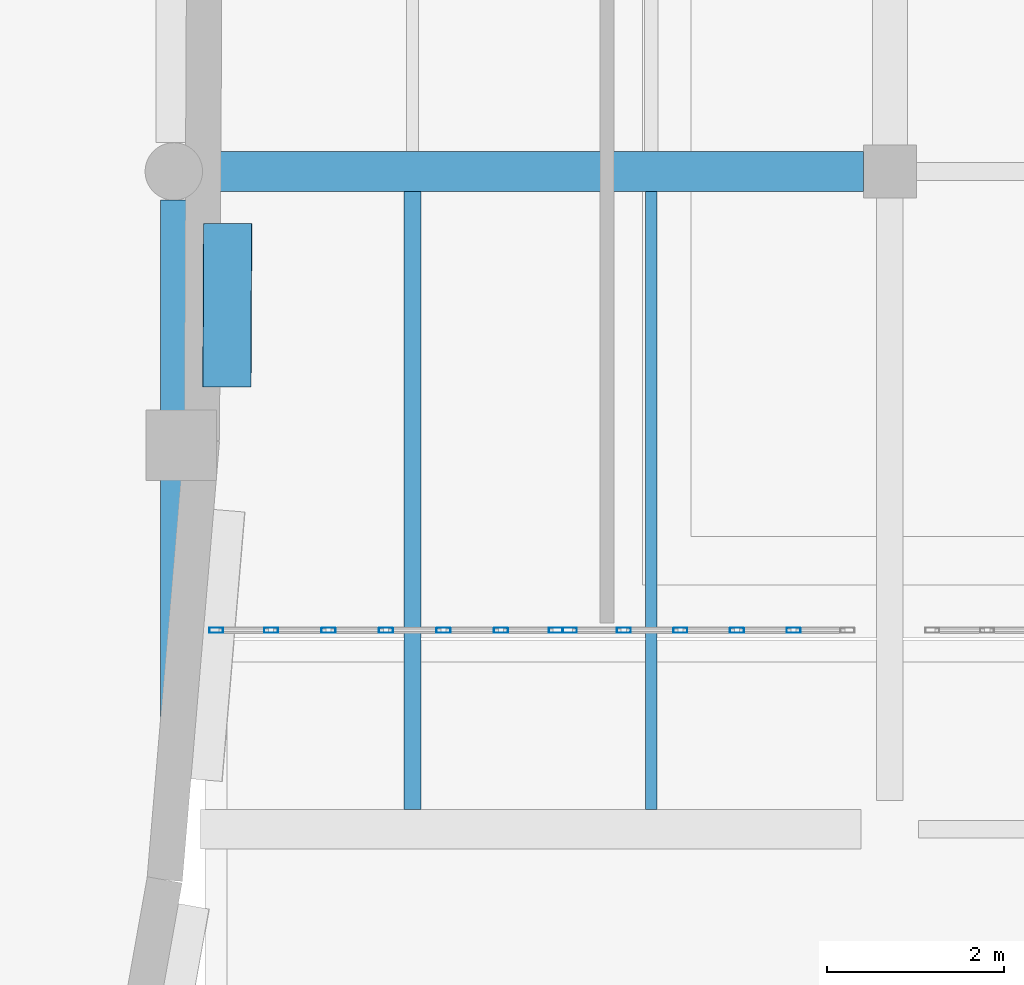
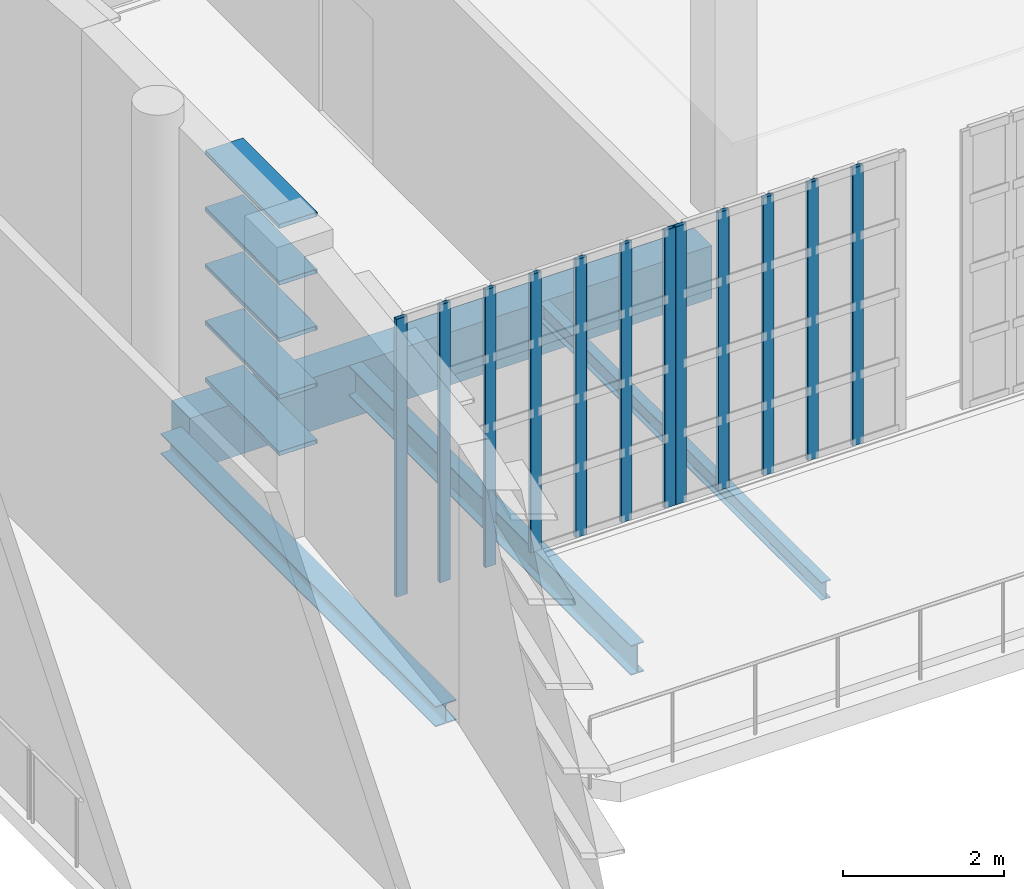
# One storey, part 7 of 73: 17 members, 4 beams, 2 elements without a shape of their own.
"""IFC4 building model written with IfcOpenShell, lengths in metres."""

from ifc_helpers import new_model, si_unit, direction, frame, origin, origin_2d, place, context, subcontext, project, spatial, rectangle, hollow_rectangle, i_section, extrude, material, material_profile, profile_set, type_object, element, aggregate, save


model = new_model("IFC4")

# Units and contexts
model_context = context("Model", 3, precision=1e-05, world=origin(), true_north=direction((0.0, 1.0)))
body_context = subcontext(model_context, "Body", "Model", "MODEL_VIEW")
ifc_project = project(units=[si_unit("LENGTHUNIT", "METRE"), si_unit("AREAUNIT", "SQUARE_METRE"), si_unit("VOLUMEUNIT", "CUBIC_METRE"), si_unit("PLANEANGLEUNIT", "RADIAN"), si_unit("MASSUNIT", "GRAM", prefix="KILO")], contexts=[model_context])

# Site, building, storey
site_placement = place(None, origin())
site = spatial("IfcSite", under=ifc_project, at=site_placement, CompositionType="ELEMENT")
building_placement = place(site_placement, origin())
building = spatial("IfcBuilding", under=site, at=building_placement, Name="Kaelora Sail Theatre", CompositionType="ELEMENT")
storey_placement = place(building_placement, frame((0.0, 0.0, 10.199951171875)))
storey = spatial("IfcBuildingStorey", under=building, at=storey_placement, Name="L02", CompositionType="ELEMENT", Elevation=10.199951171875)

# Members
ifc_material_1 = material(Name="Anodised aluminium 6063-T6", Category="aluminium")
ifc_material_profile_1 = material_profile(ifc_material_1, hollow_rectangle(XDim=0.550048828125, YDim=0.06494140625, WallThickness=0.00390625, InnerFilletRadius=0.00390625, OuterFilletRadius=0.008056640625, at=origin_2d()), Name="LOUVRE 550x65x4")
ifc_profile_set_1 = profile_set([ifc_material_profile_1], Name="Anodised aluminium 6063-T6")
member_type_1 = type_object("IfcMemberType", Name="ARC-MEM-LVR-300", PredefinedType="USERDEFINED", material=ifc_profile_set_1)
for number, where, z_axis, x_axis, name in (
    (1, (58.808837890625, 52.990478515625, 0.510009765625), (-0.00488636533, -0.999988061646, 0.0), (0.999988061646, -0.00488636533, 0.0), "Main Theatre Sail Drum horizontal solar louvre C2-12"),
    (2, (58.808837890625, 52.990478515625, 1.3701171875), (-0.00488636533, -0.999988061646, 0.0), (0.999988061646, -0.00488636533, 0.0), "Main Theatre Sail Drum horizontal solar louvre C2-13"),
    (3, (58.808837890625, 52.990478515625, 2.22998046875), (-0.00488636533, -0.999988061646, 0.0), (0.999988061646, -0.00488636533, 0.0), "Main Theatre Sail Drum horizontal solar louvre C2-14"),
    (4, (58.808837890625, 52.990478515625, 3.090087890625), (-0.00488636533, -0.999988061646, 0.0), (0.999988061646, -0.00488636533, 0.0), "Main Theatre Sail Drum horizontal solar louvre C2-15"),
    (5, (58.808837890625, 52.990478515625, 3.949951171875), (-0.00488636533, -0.999988061646, 0.0), (0.999988061646, -0.00488636533, 0.0), "Main Theatre Sail Drum horizontal solar louvre C2-16"),
):
    element("IfcMember", number, at=place(storey_placement, frame(where, z_axis=z_axis, x_axis=x_axis)), inside=storey, type_object=member_type_1, Name=name, ObjectType="LOUVRE", PredefinedType="USERDEFINED", context=body_context, shape_type="SweptSolid", body=[
        extrude(hollow_rectangle(XDim=0.550048828125, YDim=0.06494140625, WallThickness=0.00390625, InnerFilletRadius=0.00390625, OuterFilletRadius=0.008056640625, at=origin_2d()), origin(), (0.0, 0.0, 1.0), 1.8486328125),
    ])

# Curtain wall, members
ifc_material_2 = material(Name="Anodised aluminium and solar-control low-E IGU", Category="aluminium")
curtain_wall_type = type_object("IfcCurtainWallType", Name="ARC-CW-CW-BRG", PredefinedType="NOTDEFINED", material=ifc_material_2)
curtain_wall_1_placement = place(storey_placement, origin())
curtain_wall_1 = element("IfcCurtainWall", 6, at=curtain_wall_1_placement, inside=storey, type_object=curtain_wall_type, Name="West Interstitial Sail Foyer Curtain Wall L02-01", PredefinedType="NOTDEFINED")
ifc_material_3 = material(Name="Anodised aluminium 6063-T6", Category="aluminium")
ifc_material_profile_2 = material_profile(ifc_material_3, hollow_rectangle(XDim=0.06005859375, YDim=0.159912109375, WallThickness=0.00390625, InnerFilletRadius=0.00390625, OuterFilletRadius=0.008056640625, at=origin_2d()), Name="ALU-MULL 60x160x4")
ifc_profile_set_2 = profile_set([ifc_material_profile_2], Name="Anodised aluminium 6063-T6")
member_type_2 = type_object("IfcMemberType", Name="ARC-MEM-ML-160", PredefinedType="MULLION", material=ifc_profile_set_2)
member_1_placement = place(storey_placement, frame((58.679931640625, 48.389892578125, 0.0), z_axis=(0.0, 0.0, 1.0), x_axis=(0.0, 1.0, 0.0)))
member_1 = element("IfcMember", 7, at=member_1_placement, type_object=member_type_2, Name="CW-BRG mullion 1", PredefinedType="MULLION", context=body_context, shape_type="SweptSolid", body=[
    extrude(hollow_rectangle(XDim=0.06005859375, YDim=0.159912109375, WallThickness=0.00390625, InnerFilletRadius=0.00390625, OuterFilletRadius=0.008056640625, at=origin_2d()), origin(), (0.0, 0.0, 1.0), 4.205078125),
])
member_2_placement = place(storey_placement, frame((59.300048828125, 48.389892578125, 0.0), z_axis=(0.0, 0.0, 1.0), x_axis=(0.0, 1.0, 0.0)))
member_2 = element("IfcMember", 8, at=member_2_placement, type_object=member_type_2, Name="CW-BRG mullion 2", PredefinedType="MULLION", context=body_context, shape_type="SweptSolid", body=[
    extrude(hollow_rectangle(XDim=0.06005859375, YDim=0.159912109375, WallThickness=0.00390625, InnerFilletRadius=0.00390625, OuterFilletRadius=0.008056640625, at=origin_2d()), origin(), (0.0, 0.0, 1.0), 4.205078125),
])
member_3_placement = place(storey_placement, frame((59.949951171875, 48.389892578125, 0.0), z_axis=(0.0, 0.0, 1.0), x_axis=(0.0, 1.0, 0.0)))
member_3 = element("IfcMember", 9, at=member_3_placement, type_object=member_type_2, Name="CW-BRG mullion 3", PredefinedType="MULLION", context=body_context, shape_type="SweptSolid", body=[
    extrude(hollow_rectangle(XDim=0.06005859375, YDim=0.159912109375, WallThickness=0.00390625, InnerFilletRadius=0.00390625, OuterFilletRadius=0.008056640625, at=origin_2d()), origin(), (0.0, 0.0, 1.0), 4.205078125),
])
member_4_placement = place(storey_placement, frame((60.60009765625, 48.389892578125, 0.0), z_axis=(0.0, 0.0, 1.0), x_axis=(0.0, 1.0, 0.0)))
member_4 = element("IfcMember", 10, at=member_4_placement, type_object=member_type_2, Name="CW-BRG mullion 4", PredefinedType="MULLION", context=body_context, shape_type="SweptSolid", body=[
    extrude(hollow_rectangle(XDim=0.06005859375, YDim=0.159912109375, WallThickness=0.00390625, InnerFilletRadius=0.00390625, OuterFilletRadius=0.008056640625, at=origin_2d()), origin(), (0.0, 0.0, 1.0), 4.205078125),
])
member_5_placement = place(storey_placement, frame((61.25, 48.389892578125, 0.0), z_axis=(0.0, 0.0, 1.0), x_axis=(0.0, 1.0, 0.0)))
member_5 = element("IfcMember", 11, at=member_5_placement, type_object=member_type_2, Name="CW-BRG mullion 5", PredefinedType="MULLION", context=body_context, shape_type="SweptSolid", body=[
    extrude(hollow_rectangle(XDim=0.06005859375, YDim=0.159912109375, WallThickness=0.00390625, InnerFilletRadius=0.00390625, OuterFilletRadius=0.008056640625, at=origin_2d()), origin(), (0.0, 0.0, 1.0), 4.205078125),
])
member_6_placement = place(storey_placement, frame((61.89990234375, 48.389892578125, 0.0), z_axis=(0.0, 0.0, 1.0), x_axis=(0.0, 1.0, 0.0)))
member_6 = element("IfcMember", 12, at=member_6_placement, type_object=member_type_2, Name="CW-BRG mullion 6", PredefinedType="MULLION", context=body_context, shape_type="SweptSolid", body=[
    extrude(hollow_rectangle(XDim=0.06005859375, YDim=0.159912109375, WallThickness=0.00390625, InnerFilletRadius=0.00390625, OuterFilletRadius=0.008056640625, at=origin_2d()), origin(), (0.0, 0.0, 1.0), 4.205078125),
])
member_7_placement = place(storey_placement, frame((62.52001953125, 48.389892578125, 0.0), z_axis=(0.0, 0.0, 1.0), x_axis=(0.0, 1.0, 0.0)))
member_7 = element("IfcMember", 13, at=member_7_placement, type_object=member_type_2, Name="CW-BRG mullion 7", PredefinedType="MULLION", context=body_context, shape_type="SweptSolid", body=[
    extrude(hollow_rectangle(XDim=0.06005859375, YDim=0.159912109375, WallThickness=0.00390625, InnerFilletRadius=0.00390625, OuterFilletRadius=0.008056640625, at=origin_2d()), origin(), (0.0, 0.0, 1.0), 4.205078125),
])
aggregate(curtain_wall_1, [member_1, member_2, member_3, member_4, member_5, member_6, member_7])

curtain_wall_2_placement = place(storey_placement, origin())
curtain_wall_2 = element("IfcCurtainWall", 14, at=curtain_wall_2_placement, inside=storey, type_object=curtain_wall_type, Name="West Interstitial Sail Foyer Curtain Wall L02-02", PredefinedType="NOTDEFINED")
member_8_placement = place(storey_placement, frame((62.679931640625, 48.389892578125, 0.0), z_axis=(0.0, 0.0, 1.0), x_axis=(0.0, 1.0, 0.0)))
member_8 = element("IfcMember", 15, at=member_8_placement, type_object=member_type_2, Name="CW-BRG mullion 1", PredefinedType="MULLION", context=body_context, shape_type="SweptSolid", body=[
    extrude(hollow_rectangle(XDim=0.06005859375, YDim=0.159912109375, WallThickness=0.00390625, InnerFilletRadius=0.00390625, OuterFilletRadius=0.008056640625, at=origin_2d()), origin(), (0.0, 0.0, 1.0), 4.205078125),
])
member_9_placement = place(storey_placement, frame((63.2900390625, 48.389892578125, 0.0), z_axis=(0.0, 0.0, 1.0), x_axis=(0.0, 1.0, 0.0)))
member_9 = element("IfcMember", 16, at=member_9_placement, type_object=member_type_2, Name="CW-BRG mullion 2", PredefinedType="MULLION", context=body_context, shape_type="SweptSolid", body=[
    extrude(hollow_rectangle(XDim=0.06005859375, YDim=0.159912109375, WallThickness=0.00390625, InnerFilletRadius=0.00390625, OuterFilletRadius=0.008056640625, at=origin_2d()), origin(), (0.0, 0.0, 1.0), 4.205078125),
])
member_10_placement = place(storey_placement, frame((63.929931640625, 48.389892578125, 0.0), z_axis=(0.0, 0.0, 1.0), x_axis=(0.0, 1.0, 0.0)))
member_10 = element("IfcMember", 17, at=member_10_placement, type_object=member_type_2, Name="CW-BRG mullion 3", PredefinedType="MULLION", context=body_context, shape_type="SweptSolid", body=[
    extrude(hollow_rectangle(XDim=0.06005859375, YDim=0.159912109375, WallThickness=0.00390625, InnerFilletRadius=0.00390625, OuterFilletRadius=0.008056640625, at=origin_2d()), origin(), (0.0, 0.0, 1.0), 4.205078125),
])
member_11_placement = place(storey_placement, frame((64.570068359375, 48.389892578125, 0.0), z_axis=(0.0, 0.0, 1.0), x_axis=(0.0, 1.0, 0.0)))
member_11 = element("IfcMember", 18, at=member_11_placement, type_object=member_type_2, Name="CW-BRG mullion 4", PredefinedType="MULLION", context=body_context, shape_type="SweptSolid", body=[
    extrude(hollow_rectangle(XDim=0.06005859375, YDim=0.159912109375, WallThickness=0.00390625, InnerFilletRadius=0.00390625, OuterFilletRadius=0.008056640625, at=origin_2d()), origin(), (0.0, 0.0, 1.0), 4.205078125),
])
member_12_placement = place(storey_placement, frame((65.2099609375, 48.389892578125, 0.0), z_axis=(0.0, 0.0, 1.0), x_axis=(0.0, 1.0, 0.0)))
member_12 = element("IfcMember", 19, at=member_12_placement, type_object=member_type_2, Name="CW-BRG mullion 5", PredefinedType="MULLION", context=body_context, shape_type="SweptSolid", body=[
    extrude(hollow_rectangle(XDim=0.06005859375, YDim=0.159912109375, WallThickness=0.00390625, InnerFilletRadius=0.00390625, OuterFilletRadius=0.008056640625, at=origin_2d()), origin(), (0.0, 0.0, 1.0), 4.205078125),
])
aggregate(curtain_wall_2, [member_8, member_9, member_10, member_11, member_12])

# Beams
ifc_material_4 = material(Name="Steel S355", Category="steel")
ifc_material_profile_3 = material_profile(ifc_material_4, i_section(OverallWidth=0.300048828125, OverallDepth=0.31005859375, WebThickness=0.009033203125, FlangeThickness=0.015380859375, FilletRadius=0.027099609375, at=origin_2d()), Name="HEA 320")
ifc_profile_set_3 = profile_set([ifc_material_profile_3], Name="Steel S355")
beam_type_1 = type_object("IfcBeamType", Name="STR-BM-BM-HEA320", PredefinedType="BEAM", material=ifc_profile_set_3)
beam_1_placement = place(storey_placement, frame((58.199951171875, 46.43994140625, -0.449951171875), z_axis=(0.0, 1.0, 0.0), x_axis=(-1.0, 0.0, 0.0)))
element("IfcBeam", 20, at=beam_1_placement, inside=storey, type_object=beam_type_1, Name="Primary beam 8 G-H (L02)", PredefinedType="BEAM", context=body_context, shape_type="SweptSolid", body=[
    extrude(i_section(OverallWidth=0.300048828125, OverallDepth=0.31005859375, WebThickness=0.009033203125, FlangeThickness=0.015380859375, FilletRadius=0.027099609375, at=origin_2d()), origin(), (0.0, 0.0, 1.0), 6.81494140625),
])
ifc_material_5 = material(Name="Steel S355", Category="steel")
ifc_material_profile_4 = material_profile(ifc_material_5, i_section(OverallWidth=0.18994140625, OverallDepth=0.449951171875, WebThickness=0.009521484375, FlangeThickness=0.0146484375, FilletRadius=0.02099609375, at=origin_2d()), Name="IPE 450")
ifc_profile_set_4 = profile_set([ifc_material_profile_4], Name="Steel S355")
beam_type_2 = type_object("IfcBeamType", Name="STR-BM-BM-IPE450", PredefinedType="BEAM", material=ifc_profile_set_4)
beam_2_placement = place(storey_placement, frame((60.89990234375, 46.364990234375, -0.52001953125), z_axis=(0.0, 1.0, 0.0), x_axis=(-1.0, 0.0, 0.0)))
element("IfcBeam", 21, at=beam_2_placement, inside=storey, type_object=beam_type_2, Name="Secondary floor joist 8/G-1 (L02)", PredefinedType="BEAM", context=body_context, shape_type="SweptSolid", body=[
    extrude(i_section(OverallWidth=0.18994140625, OverallDepth=0.449951171875, WebThickness=0.009521484375, FlangeThickness=0.0146484375, FilletRadius=0.02099609375, at=origin_2d()), origin(), (0.0, 0.0, 1.0), 6.989990234375),
])
ifc_material_6 = material(Name="Concrete C45/55", Category="concrete")
ifc_material_profile_5 = material_profile(ifc_material_6, rectangle(XDim=0.449951171875, YDim=0.800048828125, at=origin_2d()), Name="RC-BM 450x800")
ifc_profile_set_5 = profile_set([ifc_material_profile_5], Name="Concrete C45/55")
beam_type_3 = type_object("IfcBeamType", Name="STR-BM-BM-RC4580", PredefinedType="BEAM", material=ifc_profile_set_5)
beam_3_placement = place(storey_placement, frame((58.52490234375, 53.580078125, -0.695068359375), z_axis=(1.0, 0.0, 0.0), x_axis=(0.0, 1.0, 0.0)))
element("IfcBeam", 22, at=beam_3_placement, inside=storey, type_object=beam_type_3, Name="Primary beam H 8-9 (L02)", PredefinedType="BEAM", context=body_context, shape_type="SweptSolid", body=[
    extrude(rectangle(XDim=0.449951171875, YDim=0.800048828125, at=origin_2d()), origin(), (0.0, 0.0, 1.0), 7.47509765625),
])
ifc_material_7 = material(Name="Steel S355", Category="steel")
ifc_material_profile_6 = material_profile(ifc_material_7, i_section(OverallWidth=0.135009765625, OverallDepth=0.27001953125, WebThickness=0.006591796875, FlangeThickness=0.01025390625, FilletRadius=0.014892578125, at=origin_2d()), Name="IPE 270")
ifc_profile_set_6 = profile_set([ifc_material_profile_6], Name="Steel S355")
beam_type_4 = type_object("IfcBeamType", Name="STR-BM-JS-IPE270", PredefinedType="JOIST", material=ifc_profile_set_6)
beam_4_placement = place(storey_placement, frame((63.60009765625, 46.364990234375, -0.429931640625), z_axis=(0.0, 1.0, 0.0), x_axis=(-1.0, 0.0, 0.0)))
element("IfcBeam", 23, at=beam_4_placement, inside=storey, type_object=beam_type_4, Name="Secondary floor joist 8/G-2 (L02)", PredefinedType="JOIST", context=body_context, shape_type="SweptSolid", body=[
    extrude(i_section(OverallWidth=0.135009765625, OverallDepth=0.27001953125, WebThickness=0.006591796875, FlangeThickness=0.01025390625, FilletRadius=0.014892578125, at=origin_2d()), origin(), (0.0, 0.0, 1.0), 6.989990234375),
])

save(model, "model.ifc")
